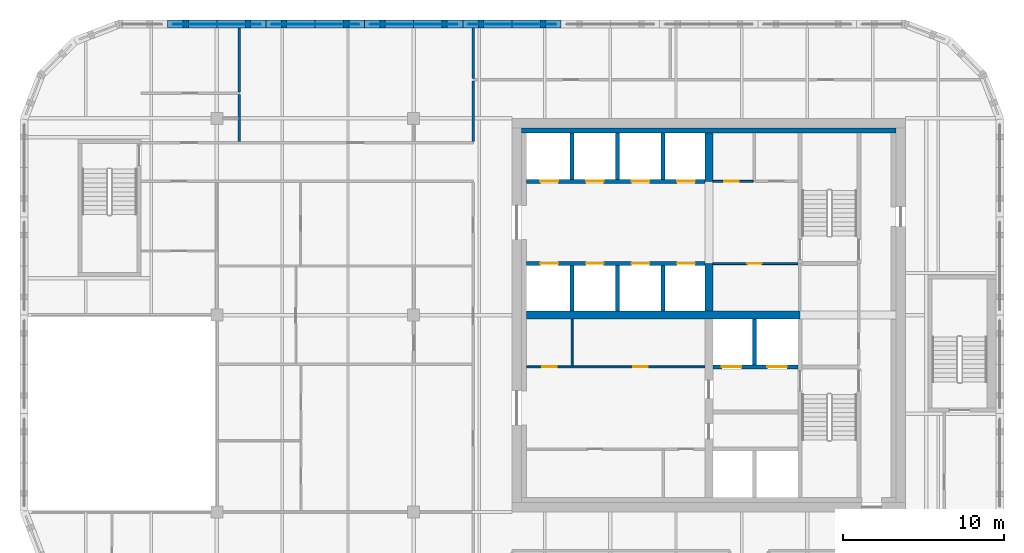
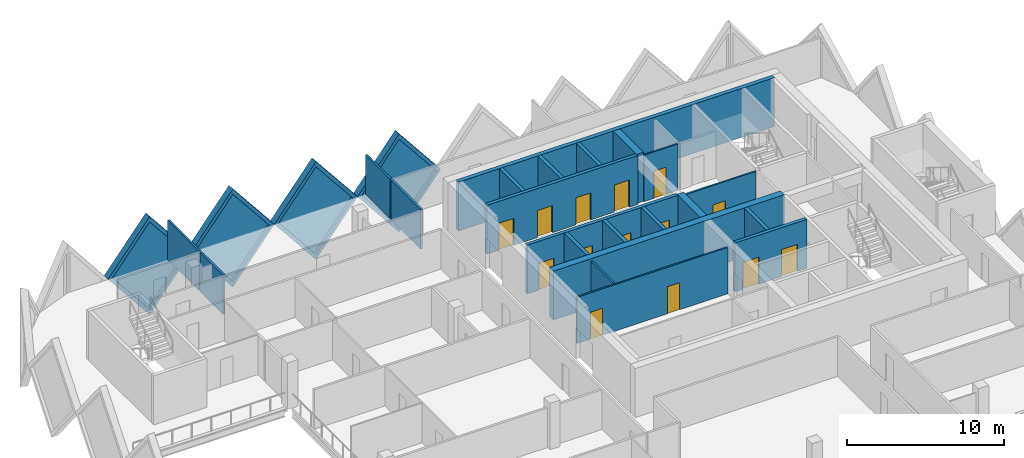
# One storey, part 8 of 12: 26 walls, 14 doors, 4 plates, 18 openings.
"""IFC4 building model written with IfcOpenShell, lengths in metres."""

from ifc_helpers import new_model, si_unit, direction, frame, frame_2d, origin, place, context, subcontext, project, spatial, polyline, rectangle, outline, extrude, faceted_brep, source, transform, mapped, material, layer, layer_set, type_object, element, fill, save


model = new_model("IFC4")

# Units and contexts
model_context = context("Model", 3, precision=1e-05, world=origin(), true_north=direction((0.0, 1.0)))
body_context = subcontext(model_context, "Body", "Model", "MODEL_VIEW")
ifc_project = project(units=[si_unit("LENGTHUNIT", "METRE"), si_unit("AREAUNIT", "SQUARE_METRE"), si_unit("VOLUMEUNIT", "CUBIC_METRE"), si_unit("PLANEANGLEUNIT", "RADIAN"), si_unit("MASSUNIT", "GRAM", prefix="KILO")], contexts=[model_context])

# Site, building, storey
site_placement = place(None, origin())
site = spatial("IfcSite", under=ifc_project, at=site_placement, CompositionType="ELEMENT")
building_placement = place(site_placement, origin())
building = spatial("IfcBuilding", under=site, at=building_placement, Name="Tessera Gate Towers", CompositionType="ELEMENT")
storey_placement = place(building_placement, frame((0.0, 0.0, 178.199951171875)))
storey = spatial("IfcBuildingStorey", under=building, at=storey_placement, Name="L44", CompositionType="ELEMENT", Elevation=178.199951171875)

# Wall, openings, doors
ifc_material_1 = material(Name="Concrete C40/50", Category="concrete")
ifc_layer_1 = layer(ifc_material_1, 0.25)
ifc_layer_set_1 = layer_set([ifc_layer_1], Name="CORE ENCLOSURE WALL 250")
wall_type_1 = type_object("IfcWallType", Name="CORE ENCLOSURE WALL 250", PredefinedType="SOLIDWALL", material=ifc_layer_set_1)
wall_1_placement = place(storey_placement, frame((31.39990234375, 39.800048828125, 0.0), z_axis=(0.0, 0.0, 1.0), x_axis=(1.0, 0.0, 0.0)))
wall_1 = element("IfcWall", 1, at=wall_1_placement, inside=storey, type_object=wall_type_1, Name="L44 shaft and stair enclosure wall", PredefinedType="SOLIDWALL", context=body_context, shape_type="SweptSolid", body=[
    extrude(rectangle(XDim=11.050048828125, YDim=0.25, at=frame_2d((5.52490234375, 0.0))), origin(), (0.0, 0.0, 1.0), 3.800048828125),
])
shared_shape_1 = source(origin(), body_context, "Body", "SweptSolid", [
    extrude(rectangle(XDim=1.10009765625, YDim=2.10009765625, at=frame_2d((0.550048828125, 1.050048828125))), frame((0.0, 0.135009765625, 0.0), z_axis=(0.0, -1.0, 0.0), x_axis=(1.0, 0.0, 0.0)), (0.0, 0.0, 1.0), 0.27001953125),
])
opening_1_placement = place(wall_1_placement, frame((0.862548828125, 0.0, 0.0)))
opening_1 = element("IfcOpeningElement", 2, at=opening_1_placement, cuts=wall_1, Name="Opening LD-HR1", PredefinedType="OPENING", context=body_context, shape_type="MappedRepresentation", body=[
    mapped(shared_shape_1, transform((0.0, 0.0, 0.0), scale=1.0)),
])
opening_2_placement = place(wall_1_placement, frame((3.6875, 0.0, 0.0)))
opening_2 = element("IfcOpeningElement", 3, at=opening_2_placement, cuts=wall_1, Name="Opening LD-HR2", PredefinedType="OPENING", context=body_context, shape_type="MappedRepresentation", body=[
    mapped(shared_shape_1, transform((0.0, 0.0, 0.0), scale=1.0)),
])
opening_3_placement = place(wall_1_placement, frame((6.512451171875, 0.0, 0.0)))
opening_3 = element("IfcOpeningElement", 4, at=opening_3_placement, cuts=wall_1, Name="Opening LD-HR3", PredefinedType="OPENING", context=body_context, shape_type="MappedRepresentation", body=[
    mapped(shared_shape_1, transform((0.0, 0.0, 0.0), scale=1.0)),
])
opening_4_placement = place(wall_1_placement, frame((9.33740234375, 0.0, 0.0)))
opening_4 = element("IfcOpeningElement", 5, at=opening_4_placement, cuts=wall_1, Name="Opening LD-HR4", PredefinedType="OPENING", context=body_context, shape_type="MappedRepresentation", body=[
    mapped(shared_shape_1, transform((0.0, 0.0, 0.0), scale=1.0)),
])
ifc_material_2 = material(Name="Stainless steel", Category="steel")
door_type_1 = type_object("IfcDoorType", Name="CORE DOOR LD 1100x2100", OperationType="DOUBLE_DOOR_SLIDING", PredefinedType="DOOR", material=ifc_material_2)
shared_shape_2 = source(origin(), body_context, "Body", "SweptSolid", [
    extrude(rectangle(XDim=1.10009765625, YDim=2.10009765625, at=frame_2d((0.550048828125, 1.050048828125))), frame((0.0, 0.02490234375, 0.0), z_axis=(0.0, -1.0, 0.0), x_axis=(1.0, 0.0, 0.0)), (0.0, 0.0, 1.0), 0.050048828125),
])
door_1_placement = place(opening_1_placement, origin())
door_1 = element("IfcDoor", 6, at=door_1_placement, inside=storey, type_object=door_type_1, Name="Landing door HR1 L44", OperationType="DOUBLE_DOOR_SLIDING", OverallHeight=2.10009765625, OverallWidth=1.10009765625, PredefinedType="DOOR", context=body_context, shape_type="MappedRepresentation", body=[
    mapped(shared_shape_2, transform((0.0, 0.0, 0.0), scale=1.0)),
])
fill(opening_1, door_1)
door_2_placement = place(opening_2_placement, origin())
door_2 = element("IfcDoor", 7, at=door_2_placement, inside=storey, type_object=door_type_1, Name="Landing door HR2 L44", OperationType="DOUBLE_DOOR_SLIDING", OverallHeight=2.10009765625, OverallWidth=1.10009765625, PredefinedType="DOOR", context=body_context, shape_type="MappedRepresentation", body=[
    mapped(shared_shape_2, transform((0.0, 0.0, 0.0), scale=1.0)),
])
fill(opening_2, door_2)
door_3_placement = place(opening_3_placement, origin())
door_3 = element("IfcDoor", 8, at=door_3_placement, inside=storey, type_object=door_type_1, Name="Landing door HR3 L44", OperationType="DOUBLE_DOOR_SLIDING", OverallHeight=2.10009765625, OverallWidth=1.10009765625, PredefinedType="DOOR", context=body_context, shape_type="MappedRepresentation", body=[
    mapped(shared_shape_2, transform((0.0, 0.0, 0.0), scale=1.0)),
])
fill(opening_3, door_3)
door_4_placement = place(opening_4_placement, origin())
door_4 = element("IfcDoor", 9, at=door_4_placement, inside=storey, type_object=door_type_1, Name="Landing door HR4 L44", OperationType="DOUBLE_DOOR_SLIDING", OverallHeight=2.10009765625, OverallWidth=1.10009765625, PredefinedType="DOOR", context=body_context, shape_type="MappedRepresentation", body=[
    mapped(shared_shape_2, transform((0.0, 0.0, 0.0), scale=1.0)),
])
fill(opening_4, door_4)

wall_2_placement = place(storey_placement, frame((42.449951171875, 44.89990234375, 0.0), z_axis=(0.0, 0.0, 1.0), x_axis=(-1.0, 0.0, 0.0)))
wall_2 = element("IfcWall", 10, at=wall_2_placement, inside=storey, type_object=wall_type_1, Name="L44 shaft and stair enclosure wall", PredefinedType="SOLIDWALL", context=body_context, shape_type="SweptSolid", body=[
    extrude(rectangle(XDim=11.050048828125, YDim=0.25, at=frame_2d((5.52490234375, 0.0))), origin(), (0.0, 0.0, 1.0), 3.800048828125),
])
opening_5_placement = place(wall_2_placement, frame((9.08740234375, 0.0, 0.0)))
opening_5 = element("IfcOpeningElement", 11, at=opening_5_placement, cuts=wall_2, Name="Opening LD-HR5", PredefinedType="OPENING", context=body_context, shape_type="MappedRepresentation", body=[
    mapped(shared_shape_1, transform((0.0, 0.0, 0.0), scale=1.0)),
])
opening_6_placement = place(wall_2_placement, frame((6.262451171875, 0.0, 0.0)))
opening_6 = element("IfcOpeningElement", 12, at=opening_6_placement, cuts=wall_2, Name="Opening LD-HR6", PredefinedType="OPENING", context=body_context, shape_type="MappedRepresentation", body=[
    mapped(shared_shape_1, transform((0.0, 0.0, 0.0), scale=1.0)),
])
opening_7_placement = place(wall_2_placement, frame((3.4375, 0.0, 0.0)))
opening_7 = element("IfcOpeningElement", 13, at=opening_7_placement, cuts=wall_2, Name="Opening LD-HR7", PredefinedType="OPENING", context=body_context, shape_type="MappedRepresentation", body=[
    mapped(shared_shape_1, transform((0.0, 0.0, 0.0), scale=1.0)),
])
opening_8_placement = place(wall_2_placement, frame((0.612548828125, 0.0, 0.0)))
opening_8 = element("IfcOpeningElement", 14, at=opening_8_placement, cuts=wall_2, Name="Opening LD-HR8", PredefinedType="OPENING", context=body_context, shape_type="MappedRepresentation", body=[
    mapped(shared_shape_1, transform((0.0, 0.0, 0.0), scale=1.0)),
])
door_5_placement = place(opening_5_placement, origin())
door_5 = element("IfcDoor", 15, at=door_5_placement, inside=storey, type_object=door_type_1, Name="Landing door HR5 L44", OperationType="DOUBLE_DOOR_SLIDING", OverallHeight=2.10009765625, OverallWidth=1.10009765625, PredefinedType="DOOR", context=body_context, shape_type="MappedRepresentation", body=[
    mapped(shared_shape_2, transform((0.0, 0.0, 0.0), scale=1.0)),
])
fill(opening_5, door_5)
door_6_placement = place(opening_6_placement, origin())
door_6 = element("IfcDoor", 16, at=door_6_placement, inside=storey, type_object=door_type_1, Name="Landing door HR6 L44", OperationType="DOUBLE_DOOR_SLIDING", OverallHeight=2.10009765625, OverallWidth=1.10009765625, PredefinedType="DOOR", context=body_context, shape_type="MappedRepresentation", body=[
    mapped(shared_shape_2, transform((0.0, 0.0, 0.0), scale=1.0)),
])
fill(opening_6, door_6)
door_7_placement = place(opening_7_placement, origin())
door_7 = element("IfcDoor", 17, at=door_7_placement, inside=storey, type_object=door_type_1, Name="Landing door HR7 L44", OperationType="DOUBLE_DOOR_SLIDING", OverallHeight=2.10009765625, OverallWidth=1.10009765625, PredefinedType="DOOR", context=body_context, shape_type="MappedRepresentation", body=[
    mapped(shared_shape_2, transform((0.0, 0.0, 0.0), scale=1.0)),
])
fill(opening_7, door_7)
door_8_placement = place(opening_8_placement, origin())
door_8 = element("IfcDoor", 18, at=door_8_placement, inside=storey, type_object=door_type_1, Name="Landing door HR8 L44", OperationType="DOUBLE_DOOR_SLIDING", OverallHeight=2.10009765625, OverallWidth=1.10009765625, PredefinedType="DOOR", context=body_context, shape_type="MappedRepresentation", body=[
    mapped(shared_shape_2, transform((0.0, 0.0, 0.0), scale=1.0)),
])
fill(opening_8, door_8)

wall_3_placement = place(storey_placement, frame((48.22509765625, 33.39990234375, 0.0), z_axis=(0.0, 0.0, 1.0), x_axis=(-1.0, 0.0, 0.0)))
wall_3 = element("IfcWall", 19, at=wall_3_placement, inside=storey, type_object=wall_type_1, Name="L44 shaft and stair enclosure wall", PredefinedType="SOLIDWALL", context=body_context, shape_type="SweptSolid", body=[
    extrude(rectangle(XDim=5.275146484375, YDim=0.25, at=frame_2d((2.6376953125, 0.0))), origin(), (0.0, 0.0, 1.0), 3.800048828125),
])
shared_shape_3 = source(origin(), body_context, "Body", "SweptSolid", [
    extrude(rectangle(XDim=1.199951171875, YDim=2.10009765625, at=frame_2d((0.60009765625, 1.050048828125))), frame((0.0, 0.135009765625, 0.0), z_axis=(0.0, -1.0, 0.0), x_axis=(1.0, 0.0, 0.0)), (0.0, 0.0, 1.0), 0.27001953125),
])
opening_9_placement = place(wall_3_placement, frame((3.512451171875, 0.0, 0.0)))
opening_9 = element("IfcOpeningElement", 20, at=opening_9_placement, cuts=wall_3, Name="Opening LD-FF1", PredefinedType="OPENING", context=body_context, shape_type="MappedRepresentation", body=[
    mapped(shared_shape_3, transform((0.0, 0.0, 0.0), scale=1.0)),
])
opening_10_placement = place(wall_3_placement, frame((0.6875, 0.0, 0.0)))
opening_10 = element("IfcOpeningElement", 21, at=opening_10_placement, cuts=wall_3, Name="Opening LD-FF2", PredefinedType="OPENING", context=body_context, shape_type="MappedRepresentation", body=[
    mapped(shared_shape_3, transform((0.0, 0.0, 0.0), scale=1.0)),
])
ifc_material_3 = material(Name="Stainless steel", Category="steel")
door_type_2 = type_object("IfcDoorType", Name="CORE DOOR LD1200 1200x2100", OperationType="DOUBLE_DOOR_SLIDING", PredefinedType="DOOR", material=ifc_material_3)
shared_shape_4 = source(origin(), body_context, "Body", "SweptSolid", [
    extrude(rectangle(XDim=1.199951171875, YDim=2.10009765625, at=frame_2d((0.60009765625, 1.050048828125))), frame((0.0, 0.02490234375, 0.0), z_axis=(0.0, -1.0, 0.0), x_axis=(1.0, 0.0, 0.0)), (0.0, 0.0, 1.0), 0.050048828125),
])
door_9_placement = place(opening_9_placement, origin())
door_9 = element("IfcDoor", 22, at=door_9_placement, inside=storey, type_object=door_type_2, Name="Landing door FF1 L44", OperationType="DOUBLE_DOOR_SLIDING", OverallHeight=2.10009765625, OverallWidth=1.199951171875, PredefinedType="DOOR", context=body_context, shape_type="MappedRepresentation", body=[
    mapped(shared_shape_4, transform((0.0, 0.0, 0.0), scale=1.0)),
])
fill(opening_9, door_9)
door_10_placement = place(opening_10_placement, origin())
door_10 = element("IfcDoor", 23, at=door_10_placement, inside=storey, type_object=door_type_2, Name="Landing door FF2 L44", OperationType="DOUBLE_DOOR_SLIDING", OverallHeight=2.10009765625, OverallWidth=1.199951171875, PredefinedType="DOOR", context=body_context, shape_type="MappedRepresentation", body=[
    mapped(shared_shape_4, transform((0.0, 0.0, 0.0), scale=1.0)),
])
fill(opening_10, door_10)

# Walls
for number, where, z_axis, x_axis, name in (
    (24, (34.22509765625, 36.85009765625, 0.0), (0.0, 0.0, 1.0), (0.0, 1.0, 0.0), "L44 shaft and stair enclosure wall"),
    (25, (37.050048828125, 36.85009765625, 0.0), (0.0, 0.0, 1.0), (0.0, 1.0, 0.0), "L44 shaft and stair enclosure wall"),
    (26, (39.875, 36.85009765625, 0.0), (0.0, 0.0, 1.0), (0.0, 1.0, 0.0), "L44 shaft and stair enclosure wall"),
):
    element("IfcWall", number, at=place(storey_placement, frame(where, z_axis=z_axis, x_axis=x_axis)), inside=storey, type_object=wall_type_1, Name=name, PredefinedType="SOLIDWALL", context=body_context, shape_type="SweptSolid", body=[
        extrude(rectangle(XDim=2.824951171875, YDim=0.25, at=frame_2d((1.41259765625, 0.0))), origin(), (0.0, 0.0, 1.0), 3.800048828125),
    ])
wall_4_placement = place(storey_placement, frame((45.52490234375, 33.52490234375, 0.0), z_axis=(0.0, 0.0, 1.0), x_axis=(0.0, 1.0, 0.0)))
element("IfcWall", 27, at=wall_4_placement, inside=storey, type_object=wall_type_1, Name="L44 shaft and stair enclosure wall", PredefinedType="SOLIDWALL", context=body_context, shape_type="SweptSolid", body=[
    extrude(rectangle(XDim=2.8251953125, YDim=0.25, at=frame_2d((1.41259765625, 0.0))), origin(), (0.0, 0.0, 1.0), 3.800048828125),
])
for number, where, z_axis, x_axis, name in (
    (28, (34.22509765625, 45.02490234375, 0.0), (0.0, 0.0, 1.0), (0.0, 1.0, 0.0), "L44 shaft and stair enclosure wall"),
    (29, (37.050048828125, 45.02490234375, 0.0), (0.0, 0.0, 1.0), (0.0, 1.0, 0.0), "L44 shaft and stair enclosure wall"),
    (30, (39.875, 45.02490234375, 0.0), (0.0, 0.0, 1.0), (0.0, 1.0, 0.0), "L44 shaft and stair enclosure wall"),
):
    element("IfcWall", number, at=place(storey_placement, frame(where, z_axis=z_axis, x_axis=x_axis)), inside=storey, type_object=wall_type_1, Name=name, PredefinedType="SOLIDWALL", context=body_context, shape_type="SweptSolid", body=[
        extrude(rectangle(XDim=2.875, YDim=0.25, at=frame_2d((1.4375, 0.0))), origin(), (0.0, 0.0, 1.0), 3.800048828125),
    ])

# Wall, openings, doors
ifc_material_4 = material(Name="Gypsum board on steel studs", Category="steel")
ifc_layer_2 = layer(ifc_material_4, 0.1201171875)
ifc_layer_set_2 = layer_set([ifc_layer_2], Name="CORE PARTITION 120")
wall_type_2 = type_object("IfcWallType", Name="CORE PARTITION 120", PredefinedType="PARTITIONING", material=ifc_layer_set_2)
wall_5_placement = place(storey_placement, frame((31.39990234375, 33.39990234375, 0.0), z_axis=(0.0, 0.0, 1.0), x_axis=(1.0, 0.0, 0.0)))
wall_5 = element("IfcWall", 31, at=wall_5_placement, inside=storey, type_object=wall_type_2, Name="L44 core partition", PredefinedType="PARTITIONING", context=body_context, shape_type="SweptSolid", body=[
    extrude(rectangle(XDim=11.050048828125, YDim=0.1201171875, at=frame_2d((5.52490234375, 0.0))), origin(), (0.0, 0.0, 1.0), 3.60009765625),
])
shared_shape_5 = source(origin(), body_context, "Body", "SweptSolid", [
    extrude(rectangle(XDim=0.89990234375, YDim=2.10009765625, at=frame_2d((0.449951171875, 1.050048828125))), frame((0.0, 0.070068359375, 0.0), z_axis=(0.0, -1.0, 0.0), x_axis=(1.0, 0.0, 0.0)), (0.0, 0.0, 1.0), 0.14013671875),
])
opening_11_placement = place(wall_5_placement, frame((0.96240234375, 0.0, 0.0)))
opening_11 = element("IfcOpeningElement", 32, at=opening_11_placement, cuts=wall_5, Name="Opening RD-T1-28-07", PredefinedType="OPENING", context=body_context, shape_type="MappedRepresentation", body=[
    mapped(shared_shape_5, transform((0.0, 0.0, 0.0), scale=1.0)),
])
opening_12_placement = place(wall_5_placement, frame((6.612548828125, 0.0, 0.0)))
opening_12 = element("IfcOpeningElement", 33, at=opening_12_placement, cuts=wall_5, Name="Opening RD-T1-28-08", PredefinedType="OPENING", context=body_context, shape_type="MappedRepresentation", body=[
    mapped(shared_shape_5, transform((0.0, 0.0, 0.0), scale=1.0)),
])
ifc_material_5 = material(Name="Hollow steel fire door", Category="steel")
door_type_3 = type_object("IfcDoorType", Name="CORE DOOR RD 900x2100", OperationType="NOTDEFINED", PredefinedType="DOOR", material=ifc_material_5)
shared_shape_6 = source(origin(), body_context, "Body", "SweptSolid", [
    extrude(rectangle(XDim=0.89990234375, YDim=2.10009765625, at=frame_2d((0.449951171875, 1.050048828125))), frame((0.0, 0.02490234375, 0.0), z_axis=(0.0, -1.0, 0.0), x_axis=(1.0, 0.0, 0.0)), (0.0, 0.0, 1.0), 0.050048828125),
])
door_11_placement = place(opening_11_placement, origin())
door_11 = element("IfcDoor", 34, at=door_11_placement, inside=storey, type_object=door_type_3, Name="Core room door", OperationType="SINGLE_SWING_LEFT", OverallHeight=2.10009765625, OverallWidth=0.89990234375, PredefinedType="DOOR", context=body_context, shape_type="MappedRepresentation", body=[
    mapped(shared_shape_6, transform((0.0, 0.0, 0.0), scale=1.0)),
])
fill(opening_11, door_11)
door_12_placement = place(opening_12_placement, origin())
door_12 = element("IfcDoor", 35, at=door_12_placement, inside=storey, type_object=door_type_3, Name="Core room door", OperationType="SINGLE_SWING_RIGHT", OverallHeight=2.10009765625, OverallWidth=0.89990234375, PredefinedType="DOOR", context=body_context, shape_type="MappedRepresentation", body=[
    mapped(shared_shape_6, transform((0.0, 0.0, 0.0), scale=1.0)),
])
fill(opening_12, door_12)

# Wall, opening, door
wall_6_placement = place(storey_placement, frame((48.22509765625, 39.800048828125, 0.0), z_axis=(0.0, 0.0, 1.0), x_axis=(-1.0, 0.0, 0.0)))
wall_6 = element("IfcWall", 36, at=wall_6_placement, inside=storey, type_object=wall_type_2, Name="L44 core partition", PredefinedType="PARTITIONING", context=body_context, shape_type="SweptSolid", body=[
    extrude(rectangle(XDim=5.275146484375, YDim=0.1201171875, at=frame_2d((2.6376953125, 0.0))), origin(), (0.0, 0.0, 1.0), 3.60009765625),
])
opening_13_placement = place(wall_6_placement, frame((2.25, 0.0, 0.0)))
opening_13 = element("IfcOpeningElement", 37, at=opening_13_placement, cuts=wall_6, Name="Opening RD-T1-28-11", PredefinedType="OPENING", context=body_context, shape_type="MappedRepresentation", body=[
    mapped(shared_shape_5, transform((0.0, 0.0, 0.0), scale=1.0)),
])
door_13_placement = place(opening_13_placement, origin())
door_13 = element("IfcDoor", 38, at=door_13_placement, inside=storey, type_object=door_type_3, Name="Core room door", OperationType="SINGLE_SWING_RIGHT", OverallHeight=2.10009765625, OverallWidth=0.89990234375, PredefinedType="DOOR", context=body_context, shape_type="MappedRepresentation", body=[
    mapped(shared_shape_6, transform((0.0, 0.0, 0.0), scale=1.0)),
])
fill(opening_13, door_13)

# Wall
wall_7_placement = place(storey_placement, frame((34.22509765625, 33.4599609375, 0.0), z_axis=(0.0, 0.0, 1.0), x_axis=(0.0, 1.0, 0.0)))
element("IfcWall", 39, at=wall_7_placement, inside=storey, type_object=wall_type_2, Name="L44 core partition", PredefinedType="PARTITIONING", context=body_context, shape_type="SweptSolid", body=[
    extrude(rectangle(XDim=2.89013671875, YDim=0.1201171875, at=frame_2d((1.445068359375, 0.0))), origin(), (0.0, 0.0, 1.0), 3.60009765625),
])

# Wall, opening, door
wall_8_placement = place(storey_placement, frame((42.949951171875, 44.89990234375, 0.0), z_axis=(0.0, 0.0, 1.0), x_axis=(1.0, 0.0, 0.0)))
wall_8 = element("IfcWall", 40, at=wall_8_placement, inside=storey, type_object=wall_type_2, Name="L44 core partition", PredefinedType="PARTITIONING", context=body_context, shape_type="SweptSolid", body=[
    extrude(rectangle(XDim=2.5, YDim=0.1201171875, at=frame_2d((1.25, 0.0))), origin(), (0.0, 0.0, 1.0), 3.60009765625),
])
opening_14_placement = place(wall_8_placement, frame((0.71240234375, 0.0, 0.0)))
opening_14 = element("IfcOpeningElement", 41, at=opening_14_placement, cuts=wall_8, Name="Opening RD-T1-28-12", PredefinedType="OPENING", context=body_context, shape_type="MappedRepresentation", body=[
    mapped(shared_shape_5, transform((0.0, 0.0, 0.0), scale=1.0)),
])
door_14_placement = place(opening_14_placement, origin())
door_14 = element("IfcDoor", 42, at=door_14_placement, inside=storey, type_object=door_type_3, Name="Core room door", OperationType="SINGLE_SWING_LEFT", OverallHeight=2.10009765625, OverallWidth=0.89990234375, PredefinedType="DOOR", context=body_context, shape_type="MappedRepresentation", body=[
    mapped(shared_shape_6, transform((0.0, 0.0, 0.0), scale=1.0)),
])
fill(opening_14, door_14)

# Walls
ifc_material_6 = material(Name="Concrete C50/60", Category="concrete")
ifc_layer_3 = layer(ifc_material_6, 0.5)
ifc_layer_set_3 = layer_set([ifc_layer_3], Name="CORE SPINE WALL 500 C50/60")
wall_type_3 = type_object("IfcWallType", Name="CORE SPINE WALL 500 C50/60", PredefinedType="SHEAR", material=ifc_layer_set_3)
wall_9_placement = place(storey_placement, frame((31.39990234375, 36.60009765625, 0.0), z_axis=(0.0, 0.0, 1.0), x_axis=(1.0, 0.0, 0.0)))
element("IfcWall", 43, at=wall_9_placement, inside=storey, type_object=wall_type_3, Name="Core wall spine L44", PredefinedType="SHEAR", context=body_context, shape_type="SweptSolid", body=[
    extrude(rectangle(XDim=16.9501953125, YDim=0.5, at=frame_2d((8.47509765625, 0.0))), origin(), (0.0, 0.0, 1.0), 3.800048828125),
])
wall_10_placement = place(storey_placement, frame((42.699951171875, 36.85009765625, 0.0), z_axis=(0.0, 0.0, 1.0), x_axis=(0.0, 1.0, 0.0)))
element("IfcWall", 44, at=wall_10_placement, inside=storey, type_object=wall_type_3, Name="Core wall spine L44", PredefinedType="SHEAR", context=body_context, shape_type="SweptSolid", body=[
    extrude(rectangle(XDim=2.949951171875, YDim=0.5, at=frame_2d((1.47509765625, 0.0))), origin(), (0.0, 0.0, 1.0), 3.800048828125),
])
wall_11_placement = place(storey_placement, frame((42.699951171875, 44.89990234375, 0.0), z_axis=(0.0, 0.0, 1.0), x_axis=(0.0, 1.0, 0.0)))
element("IfcWall", 45, at=wall_11_placement, inside=storey, type_object=wall_type_3, Name="Core wall spine L44", PredefinedType="SHEAR", context=body_context, shape_type="SweptSolid", body=[
    extrude(rectangle(XDim=3.0, YDim=0.5, at=frame_2d((1.5, 0.0))), origin(), (0.0, 0.0, 1.0), 3.800048828125),
])
ifc_material_7 = material(Name="Concrete C50/60", Category="concrete")
ifc_layer_4 = layer(ifc_material_7, 0.300048828125)
ifc_layer_set_4 = layer_set([ifc_layer_4], Name="CORE WALL THICKENING 300")
wall_type_4 = type_object("IfcWallType", Name="CORE WALL THICKENING 300", PredefinedType="SOLIDWALL", material=ifc_layer_set_4)
wall_12_placement = place(storey_placement, frame((31.10009765625, 48.050048828125, 0.0), z_axis=(0.0, 0.0, 1.0), x_axis=(1.0, 0.0, 0.0)))
element("IfcWall", 46, at=wall_12_placement, inside=storey, type_object=wall_type_4, Name="Core wall thickening N L44", PredefinedType="SOLIDWALL", context=body_context, shape_type="SweptSolid", body=[
    extrude(rectangle(XDim=23.199951171875, YDim=0.300048828125, at=frame_2d((11.60009765625, 0.0))), origin(), (0.0, 0.0, 1.0), 3.800048828125),
])
ifc_material_8 = material(Name="Gypsum board on steel studs, mineral wool", Category="steel")
ifc_layer_5 = layer(ifc_material_8, 0.14990234375)
ifc_layer_set_5 = layer_set([ifc_layer_5], Name="CORRIDOR WALL 150")
wall_type_5 = type_object("IfcWallType", Name="CORRIDOR WALL 150", PredefinedType="PARTITIONING", material=ifc_layer_set_5)
wall_13_placement = place(storey_placement, frame((28.10009765625, 47.3759765625, 0.0), z_axis=(0.0, 0.0, 1.0), x_axis=(0.0, 1.0, 0.0)))
element("IfcWall", 47, at=wall_13_placement, inside=storey, type_object=wall_type_5, Name="T1-L44-PW-044", PredefinedType="PARTITIONING", context=body_context, shape_type="SweptSolid", body=[
    extrude(rectangle(XDim=3.748046875, YDim=0.14990234375, at=frame_2d((1.8740234375, 0.0))), origin(), (0.0, 0.0, 1.0), 3.067138671875),
])
ifc_material_9 = material(Name="Gypsum board on steel studs, mineral wool", Category="steel")
ifc_layer_6 = layer(ifc_material_9, 0.14990234375)
ifc_layer_set_6 = layer_set([ifc_layer_6], Name="TENANCY WALL 150")
wall_type_6 = type_object("IfcWallType", Name="TENANCY WALL 150", PredefinedType="PARTITIONING", material=ifc_layer_set_6)
wall_14_placement = place(storey_placement, frame((13.60009765625, 47.3759765625, 0.0), z_axis=(0.0, 0.0, 1.0), x_axis=(0.0, 1.0, 0.0)))
element("IfcWall", 48, at=wall_14_placement, inside=storey, type_object=wall_type_6, Name="T1-L44-PW-043", PredefinedType="PARTITIONING", context=body_context, shape_type="SweptSolid", body=[
    extrude(rectangle(XDim=2.89794921875, YDim=0.14990234375, at=frame_2d((1.448974609375, 0.0))), origin(), (0.0, 0.0, 1.0), 3.067138671875),
])
wall_15_placement = place(storey_placement, frame((13.60009765625, 50.426025390625, 0.0), z_axis=(0.0, 0.0, 1.0), x_axis=(0.0, 1.0, 0.0)))
element("IfcWall", 49, at=wall_15_placement, inside=storey, type_object=wall_type_6, Name="T1-L44-PW-048", PredefinedType="PARTITIONING", context=body_context, shape_type="SweptSolid", body=[
    extrude(rectangle(XDim=3.973876953125, YDim=0.14990234375, at=frame_2d((1.98681640625, 0.0))), origin(), (0.0, 0.0, 1.0), 3.067138671875),
])
wall_16_placement = place(storey_placement, frame((28.10009765625, 51.27587890625, 0.0), z_axis=(0.0, 0.0, 1.0), x_axis=(0.0, 1.0, 0.0)))
element("IfcWall", 50, at=wall_16_placement, inside=storey, type_object=wall_type_6, Name="T1-L44-PW-050", PredefinedType="PARTITIONING", context=body_context, shape_type="SweptSolid", body=[
    extrude(rectangle(XDim=3.1240234375, YDim=0.14990234375, at=frame_2d((1.56201171875, 0.0))), origin(), (0.0, 0.0, 1.0), 3.067138671875),
])

# Wall, opening, plate
ifc_material_10 = material(Name="Precast concrete C60/75 white", Category="concrete")
ifc_layer_7 = layer(ifc_material_10, 0.5)
ifc_layer_set_7 = layer_set([ifc_layer_7], Name="TS1 tessera")
wall_type_7 = type_object("IfcWallType", Name="TS1 tessera", PredefinedType="SOLIDWALL", material=ifc_layer_set_7)
shared_shape_7 = source(origin(), body_context, "Body", "Brep", [
    faceted_brep([(3.050048828125, -0.25, 0.0), (6.099853515625, -0.25, 3.7998046875), (6.099853515625, -0.25, 3.80029296875), (3.050048828125, -0.25, 7.60009765625), (0.0, -0.25, 3.800048828125), (0.0, 0.25, 3.800048828125), (3.050048828125, 0.25, 7.60009765625), (6.099853515625, 0.25, 3.80029296875), (6.099853515625, 0.25, 3.7998046875), (3.050048828125, 0.25, 0.0)], [[[0, 1, 2, 3, 4]], [[5, 6, 7, 8, 9]], [[9, 8, 1, 0]], [[7, 6, 3, 2]], [[6, 5, 4, 3]], [[5, 9, 0, 4]], [[1, 8, 7, 2]]]),
])
wall_17_placement = place(storey_placement, frame((27.449951171875, 54.64990234375, -3.800048828125), z_axis=(0.0, 0.0, 1.0), x_axis=(-1.0, 0.0, 0.0)))
wall_17 = element("IfcWall", 51, at=wall_17_placement, inside=storey, type_object=wall_type_7, Name="Precast tessera T1 TS1-0773", PredefinedType="SOLIDWALL", context=body_context, shape_type="MappedRepresentation", body=[
    mapped(shared_shape_7, transform((0.0, 0.0, 0.0), scale=1.0)),
])
shared_shape_8 = source(origin(), body_context, "Body", "SweptSolid", [
    extrude(outline(polyline([(3.050048828125, 0.3994140625), (5.779541015625, 3.800048828125), (3.050048828125, 7.20068359375), (0.320556640625, 3.800048828125), (3.050048828125, 0.3994140625)])), frame((0.0, 0.260009765625, 0.0), z_axis=(0.0, -1.0, 0.0), x_axis=(1.0, 0.0, 0.0)), (0.0, 0.0, 1.0), 0.52001953125),
])
opening_15_placement = place(wall_17_placement, origin())
opening_15 = element("IfcOpeningElement", 52, at=opening_15_placement, cuts=wall_17, Name="Opening T1-PL2-1575", PredefinedType="OPENING", context=body_context, shape_type="MappedRepresentation", body=[
    mapped(shared_shape_8, transform((0.0, 0.0, 0.0), scale=1.0)),
])
ifc_material_11 = material(Name="Low-e laminated glass", Category="glass")
ifc_layer_8 = layer(ifc_material_11, 0.06005859375)
ifc_layer_set_8 = layer_set([ifc_layer_8], Name="PL2 rhombic pane")
plate_type = type_object("IfcPlateType", Name="PL2 rhombic pane", PredefinedType="SHEET", material=ifc_layer_set_8)
shared_shape_9 = source(origin(), body_context, "Body", "SweptSolid", [
    extrude(outline(polyline([(3.050048828125, 0.3994140625), (5.779541015625, 3.800048828125), (3.050048828125, 7.20068359375), (0.320556640625, 3.800048828125), (3.050048828125, 0.3994140625)])), frame((0.0, 0.030029296875, 0.0), z_axis=(0.0, -1.0, 0.0), x_axis=(1.0, 0.0, 0.0)), (0.0, 0.0, 1.0), 0.06005859375),
])
plate_1_placement = place(opening_15_placement, origin())
plate_1 = element("IfcPlate", 53, at=plate_1_placement, inside=storey, type_object=plate_type, Name="Glass pane T1 PL2-1575", PredefinedType="SHEET", context=body_context, shape_type="MappedRepresentation", body=[
    mapped(shared_shape_9, transform((0.0, 0.0, 0.0), scale=1.0)),
])
fill(opening_15, plate_1)

shared_shape_10 = source(origin(), body_context, "Body", "SweptSolid", [
    extrude(outline(polyline([(3.050048828125, 0.0), (6.10009765625, 3.800048828125), (3.050048828125, 7.60009765625), (0.0, 3.800048828125), (3.050048828125, 0.0)])), frame((0.0, 0.25, 0.0), z_axis=(0.0, -1.0, 0.0), x_axis=(1.0, 0.0, 0.0)), (0.0, 0.0, 1.0), 0.5),
])
wall_18_placement = place(storey_placement, frame((33.550048828125, 54.64990234375, -3.800048828125), z_axis=(0.0, 0.0, 1.0), x_axis=(-1.0, 0.0, 0.0)))
wall_18 = element("IfcWall", 54, at=wall_18_placement, inside=storey, type_object=wall_type_7, Name="Precast tessera T1 TS1-0772", PredefinedType="SOLIDWALL", context=body_context, shape_type="MappedRepresentation", body=[
    mapped(shared_shape_10, transform((0.0, 0.0, 0.0), scale=1.0)),
])
opening_16_placement = place(wall_18_placement, origin())
opening_16 = element("IfcOpeningElement", 55, at=opening_16_placement, cuts=wall_18, Name="Opening T1-PL2-1574", PredefinedType="OPENING", context=body_context, shape_type="MappedRepresentation", body=[
    mapped(shared_shape_8, transform((0.0, 0.0, 0.0), scale=1.0)),
])
plate_2_placement = place(opening_16_placement, origin())
plate_2 = element("IfcPlate", 56, at=plate_2_placement, inside=storey, type_object=plate_type, Name="Glass pane T1 PL2-1574", PredefinedType="SHEET", context=body_context, shape_type="MappedRepresentation", body=[
    mapped(shared_shape_9, transform((0.0, 0.0, 0.0), scale=1.0)),
])
fill(opening_16, plate_2)

wall_19_placement = place(storey_placement, frame((21.35009765625, 54.64990234375, -3.800048828125), z_axis=(0.0, 0.0, 1.0), x_axis=(-1.0, 0.0, 0.0)))
wall_19 = element("IfcWall", 57, at=wall_19_placement, inside=storey, type_object=wall_type_7, Name="Precast tessera T1 TS1-0774", PredefinedType="SOLIDWALL", context=body_context, shape_type="MappedRepresentation", body=[
    mapped(shared_shape_10, transform((0.0, 0.0, 0.0), scale=1.0)),
])
opening_17_placement = place(wall_19_placement, origin())
opening_17 = element("IfcOpeningElement", 58, at=opening_17_placement, cuts=wall_19, Name="Opening T1-PL2-1576", PredefinedType="OPENING", context=body_context, shape_type="MappedRepresentation", body=[
    mapped(shared_shape_8, transform((0.0, 0.0, 0.0), scale=1.0)),
])
plate_3_placement = place(opening_17_placement, origin())
plate_3 = element("IfcPlate", 59, at=plate_3_placement, inside=storey, type_object=plate_type, Name="Glass pane T1 PL2-1576", PredefinedType="SHEET", context=body_context, shape_type="MappedRepresentation", body=[
    mapped(shared_shape_9, transform((0.0, 0.0, 0.0), scale=1.0)),
])
fill(opening_17, plate_3)

wall_20_placement = place(storey_placement, frame((15.25, 54.64990234375, -3.800048828125), z_axis=(0.0, 0.0, 1.0), x_axis=(-1.0, 0.0, 0.0)))
wall_20 = element("IfcWall", 60, at=wall_20_placement, inside=storey, type_object=wall_type_7, Name="Precast tessera T1 TS1-0775", PredefinedType="SOLIDWALL", context=body_context, shape_type="MappedRepresentation", body=[
    mapped(shared_shape_10, transform((0.0, 0.0, 0.0), scale=1.0)),
])
opening_18_placement = place(wall_20_placement, origin())
opening_18 = element("IfcOpeningElement", 61, at=opening_18_placement, cuts=wall_20, Name="Opening T1-PL2-1577", PredefinedType="OPENING", context=body_context, shape_type="MappedRepresentation", body=[
    mapped(shared_shape_8, transform((0.0, 0.0, 0.0), scale=1.0)),
])
plate_4_placement = place(opening_18_placement, origin())
plate_4 = element("IfcPlate", 62, at=plate_4_placement, inside=storey, type_object=plate_type, Name="Glass pane T1 PL2-1577", PredefinedType="SHEET", context=body_context, shape_type="MappedRepresentation", body=[
    mapped(shared_shape_9, transform((0.0, 0.0, 0.0), scale=1.0)),
])
fill(opening_18, plate_4)

save(model, "model.ifc")
